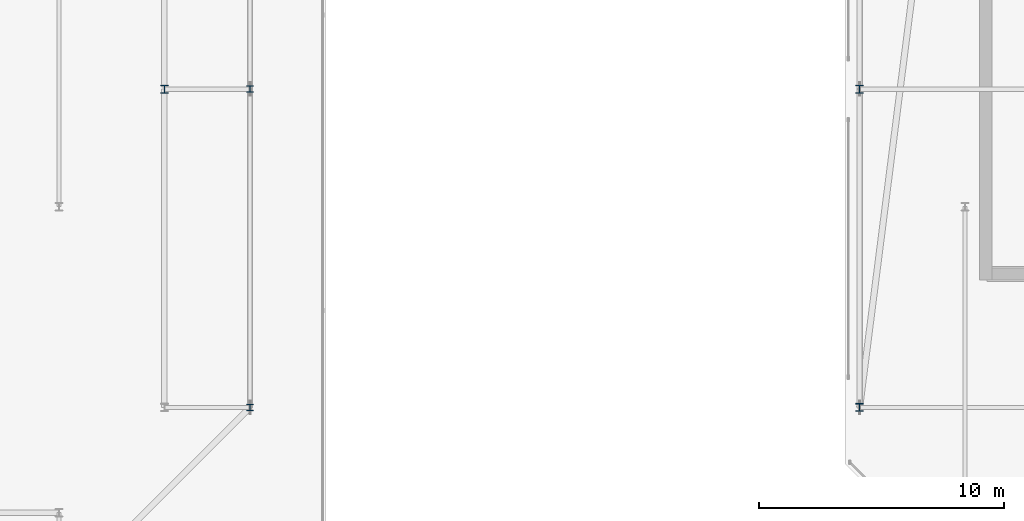
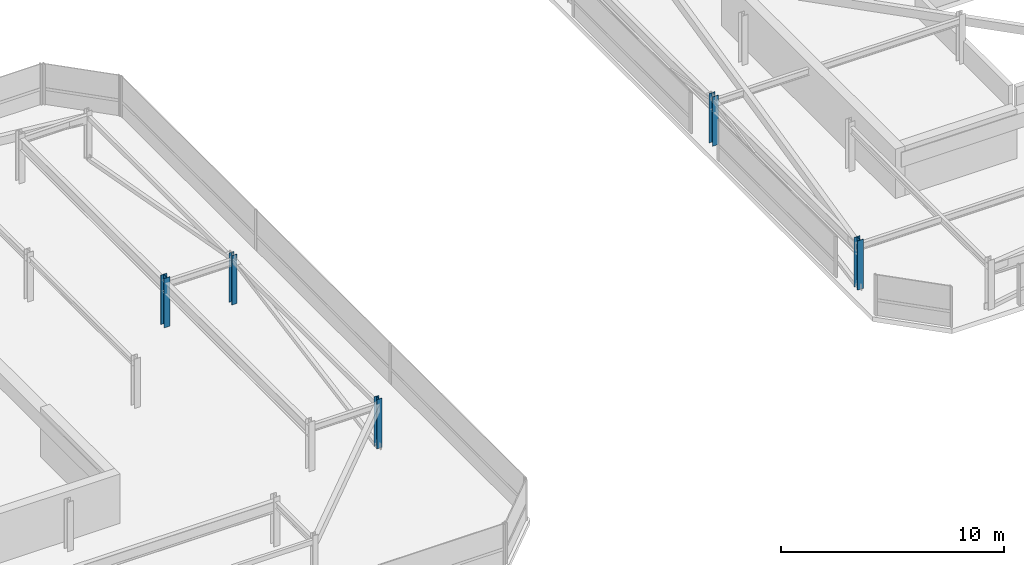
# One storey, part 3 of 44: 5 columns.
"""IFC4 building model written with IfcOpenShell, lengths in metres."""

from ifc_helpers import new_model, si_unit, direction, frame, origin, origin_2d, place, context, subcontext, project, spatial, i_section, extrude, material, material_profile, profile_set, type_object, element, save


model = new_model("IFC4")

# Units and contexts
model_context = context("Model", 3, precision=1e-05, world=origin(), true_north=direction((0.0, 1.0)))
body_context = subcontext(model_context, "Body", "Model", "MODEL_VIEW")
ifc_project = project(units=[si_unit("LENGTHUNIT", "METRE"), si_unit("AREAUNIT", "SQUARE_METRE"), si_unit("VOLUMEUNIT", "CUBIC_METRE"), si_unit("PLANEANGLEUNIT", "RADIAN"), si_unit("MASSUNIT", "GRAM", prefix="KILO")], contexts=[model_context])

# Site, building, storey
site_placement = place(None, origin())
site = spatial("IfcSite", under=ifc_project, at=site_placement, CompositionType="ELEMENT")
building_placement = place(site_placement, origin())
building = spatial("IfcBuilding", under=site, at=building_placement, Name="Thornwick Lancets Civic Towers", CompositionType="ELEMENT")
storey_placement = place(building_placement, frame((0.0, 0.0, 292.199951171875)))
storey = spatial("IfcBuildingStorey", under=building, at=storey_placement, Name="C05", CompositionType="ELEMENT", Elevation=292.199951171875)

# Columns
ifc_material = material(Name="Steel S355JR", Category="steel")
ifc_material_profile_1 = material_profile(ifc_material, i_section(OverallWidth=0.30908203125, OverallDepth=0.320556640625, WebThickness=0.013916015625, FlangeThickness=0.021728515625, FilletRadius=0.01513671875, at=origin_2d()), Name="UKC 305x305x137")
ifc_profile_set_1 = profile_set([ifc_material_profile_1], Name="Steel S355JR")
column_type_1 = type_object("IfcColumnType", Name="COL_UKC_137", PredefinedType="COLUMN", material=ifc_profile_set_1)
for number, where, z_axis, x_axis, name in (
    (1, (42.800048828125, 27.0, 0.0), (0.0, 0.0, 1.0), (1.0, 0.0, 0.0), "C05 Spine Mega-Column A05"),
    (2, (71.199951171875, 14.0, 0.0), (0.0, 0.0, 1.0), (1.0, 0.0, 0.0), "C05 Spine Mega-Column B07"),
    (3, (71.199951171875, 27.0, 0.0), (0.0, 0.0, 1.0), (1.0, 0.0, 0.0), "C05 Spine Mega-Column B08"),
):
    element("IfcColumn", number, at=place(storey_placement, frame(where, z_axis=z_axis, x_axis=x_axis)), inside=storey, type_object=column_type_1, Name=name, PredefinedType="COLUMN", context=body_context, shape_type="SweptSolid", body=[
        extrude(i_section(OverallWidth=0.30908203125, OverallDepth=0.320556640625, WebThickness=0.013916015625, FlangeThickness=0.021728515625, FilletRadius=0.01513671875, at=origin_2d()), origin(), (0.0, 0.0, 1.0), 2.699951171875),
    ])
ifc_material_profile_2 = material_profile(ifc_material, i_section(OverallWidth=0.25634765625, OverallDepth=0.26025390625, WebThickness=0.01025390625, FlangeThickness=0.017333984375, FilletRadius=0.0126953125, at=origin_2d()), Name="UKC 254x254x89")
ifc_profile_set_2 = profile_set([ifc_material_profile_2], Name="Steel S355JR")
column_type_2 = type_object("IfcColumnType", Name="COL_UKC_89", PredefinedType="COLUMN", material=ifc_profile_set_2)
for number, where, z_axis, x_axis, name in (
    (4, (46.300048828125, 14.0, 0.0), (0.0, 0.0, 1.0), (1.0, 0.0, 0.0), "C05 Block Perimeter Column A04"),
    (5, (46.300048828125, 27.0, 0.0), (0.0, 0.0, 1.0), (1.0, 0.0, 0.0), "C05 Block Perimeter Column A05"),
):
    element("IfcColumn", number, at=place(storey_placement, frame(where, z_axis=z_axis, x_axis=x_axis)), inside=storey, type_object=column_type_2, Name=name, PredefinedType="COLUMN", context=body_context, shape_type="SweptSolid", body=[
        extrude(i_section(OverallWidth=0.25634765625, OverallDepth=0.26025390625, WebThickness=0.01025390625, FlangeThickness=0.017333984375, FilletRadius=0.0126953125, at=origin_2d()), origin(), (0.0, 0.0, 1.0), 2.699951171875),
    ])

save(model, "model.ifc")
